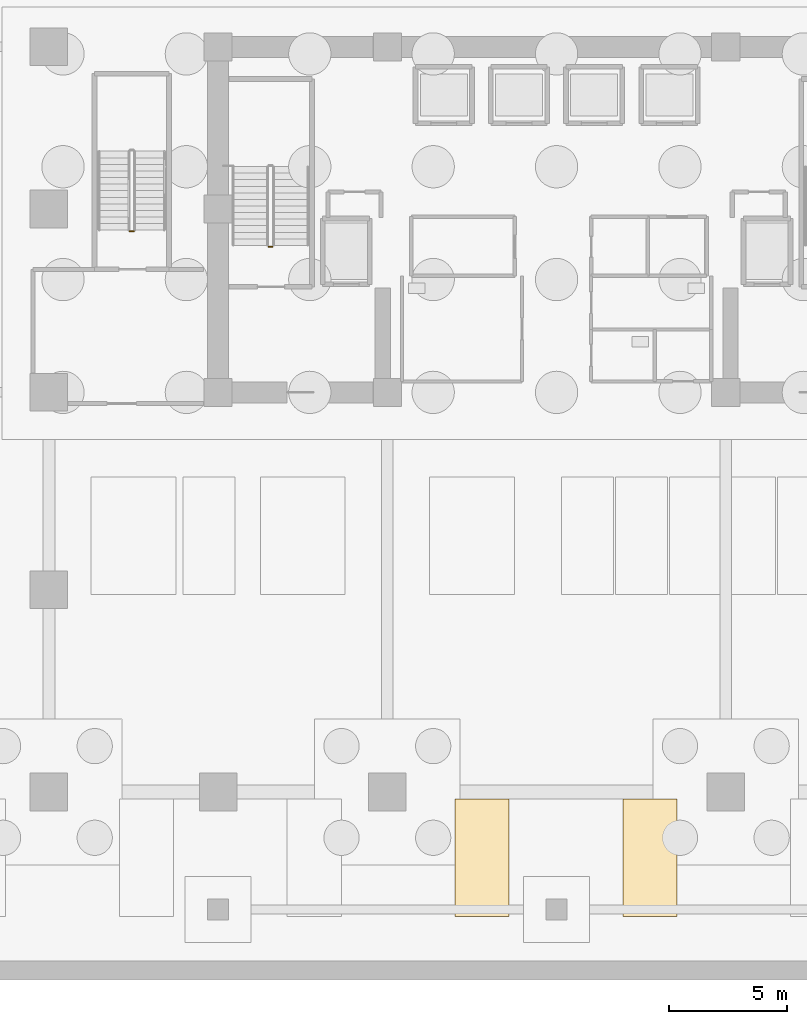
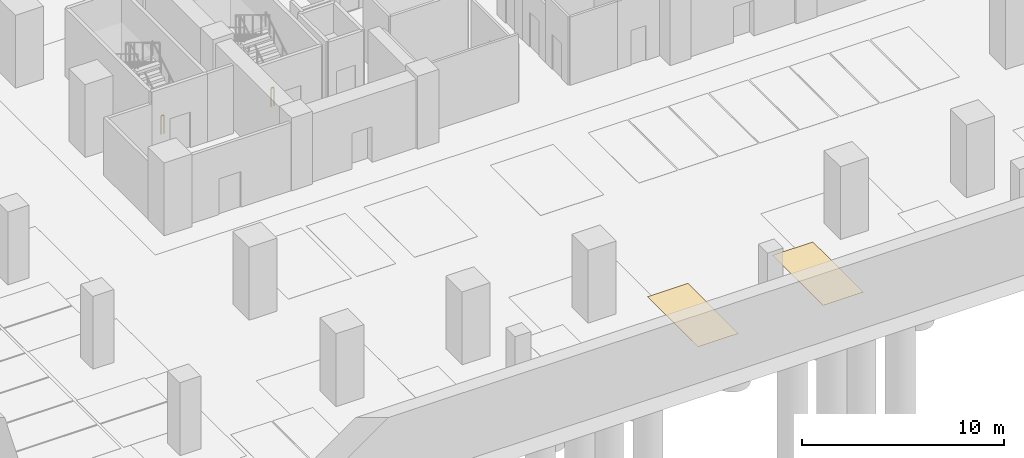
# One storey, part 8 of 13: 2 coverings, 2 railings.
"""IFC4 building model written with IfcOpenShell, lengths in metres."""

from ifc_helpers import new_model, si_unit, direction, frame, origin, origin_2d, place, context, subcontext, project, spatial, polyline, rectangle, outline, extrude, material, layer, layer_set, type_object, element, save


model = new_model("IFC4")

# Units and contexts
model_context = context("Model", 3, precision=1e-05, world=origin(), true_north=direction((0.0, 1.0)))
body_context = subcontext(model_context, "Body", "Model", "MODEL_VIEW")
ifc_project = project(units=[si_unit("LENGTHUNIT", "METRE"), si_unit("AREAUNIT", "SQUARE_METRE"), si_unit("VOLUMEUNIT", "CUBIC_METRE"), si_unit("PLANEANGLEUNIT", "RADIAN"), si_unit("MASSUNIT", "GRAM", prefix="KILO")], contexts=[model_context])

# Site, building, storey
site_placement = place(None, origin())
site = spatial("IfcSite", under=ifc_project, at=site_placement, CompositionType="ELEMENT")
building_placement = place(site_placement, origin())
building = spatial("IfcBuilding", under=site, at=building_placement, Name="Zarnakvel Exchange Tower", CompositionType="ELEMENT")
storey_placement = place(building_placement, frame((0.0, 0.0, -13.199951171875)))
storey = spatial("IfcBuildingStorey", under=building, at=storey_placement, Name="B03", CompositionType="ELEMENT", Elevation=-13.199951171875)

# Coverings
ifc_material_1 = material(Name="Thermoplastic Acrylic Bay Marking", Category="finish")
ifc_layer = layer(ifc_material_1, 0.010009765625)
ifc_layer_set = layer_set([ifc_layer], Name="Thermoplastic Acrylic Bay Marking")
covering_type = type_object("IfcCoveringType", Name="MK-01", PredefinedType="FLOORING", material=ifc_layer_set)
covering_1_placement = place(storey_placement, origin())
element("IfcCovering", 1, at=covering_1_placement, inside=storey, type_object=covering_type, Name="B03 Standard Parking Bay Marking B03-08", PredefinedType="FLOORING", context=body_context, shape_type="SweptSolid", body=[
    extrude(outline(polyline([(-4.320068359375, -23.5), (-2.02001953125, -23.5), (-2.02001953125, -18.5), (-4.320068359375, -18.5), (-4.320068359375, -23.5)])), origin(), (0.0, 0.0, 1.0), 0.010009765625),
])
covering_2_placement = place(storey_placement, origin())
element("IfcCovering", 2, at=covering_2_placement, inside=storey, type_object=covering_type, Name="B03 Standard Parking Bay Marking B03-09", PredefinedType="FLOORING", context=body_context, shape_type="SweptSolid", body=[
    extrude(outline(polyline([(2.820068359375, -23.5), (5.1201171875, -23.5), (5.1201171875, -18.5), (2.820068359375, -18.5), (2.820068359375, -23.5)])), origin(), (0.0, 0.0, 1.0), 0.010009765625),
])

# Railings
ifc_material_2 = material(Name="Architectural Bronze Anodised Aluminium", Category="aluminium")
railing_type = type_object("IfcRailingType", Name="SG-01", PredefinedType="GUARDRAIL", material=ifc_material_2)
for number, where, name in (
    (3, (-12.090087890625, 5.0, 0.0), "B03 ST-01 stair guard 4"),
    (4, (-17.989990234375, 5.64990234375, 0.0), "B03 ST-05 stair guard 4"),
):
    element("IfcRailing", number, at=place(storey_placement, frame(where)), inside=storey, type_object=railing_type, Name=name, PredefinedType="GUARDRAIL", context=body_context, shape_type="SweptSolid", body=[
        extrude(rectangle(XDim=0.048095703125, YDim=0.048095703125, at=origin_2d()), frame((0.0, 0.0, 1.1259765625), z_axis=(-1.0, 0.0, 0.0), x_axis=(0.0, -1.0, 0.0)), (0.0, 0.0, 1.0), 0.159912109375),
        extrude(rectangle(XDim=0.0419921875, YDim=0.0419921875, at=origin_2d()), origin(), (0.0, 0.0, 1.0), 1.101806640625),
        extrude(rectangle(XDim=0.0419921875, YDim=0.0419921875, at=origin_2d()), frame((-0.159912109375, 0.0, 0.0)), (0.0, 0.0, 1.0), 1.101806640625),
    ])

save(model, "model.ifc")
